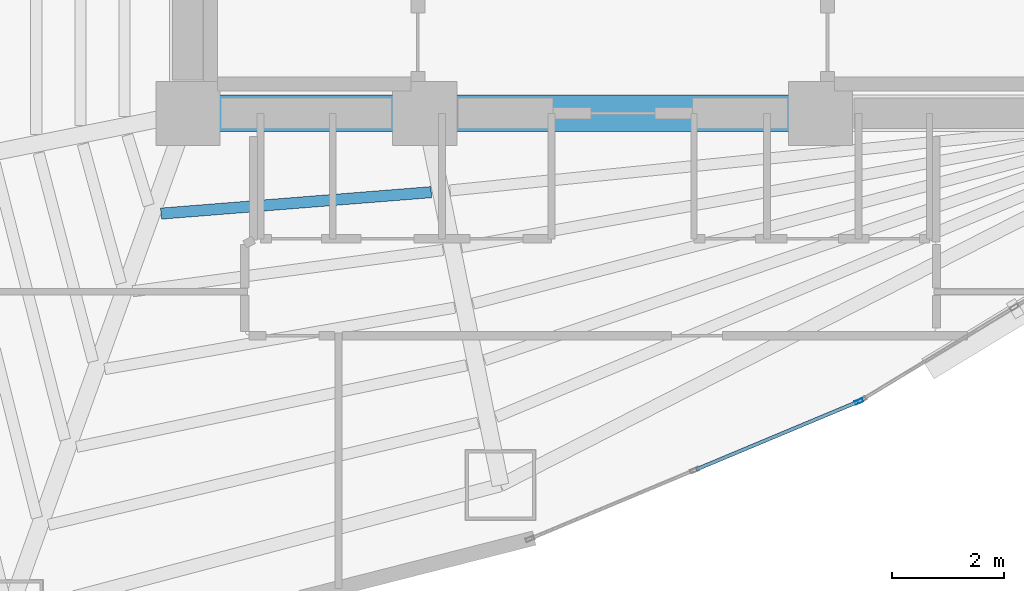
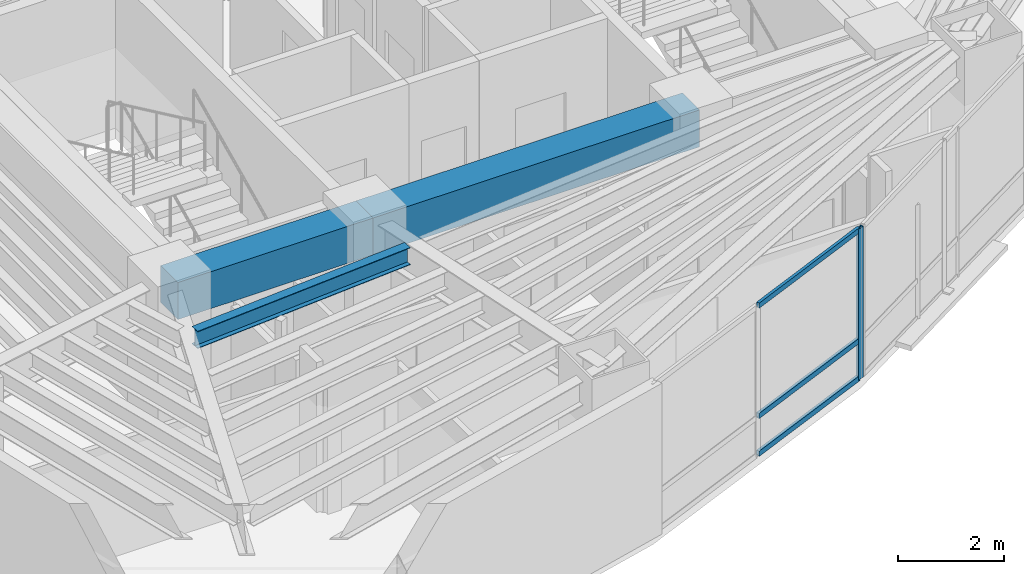
# One storey, part 4 of 18: 4 members, 3 beams, 1 element without a shape of its own.
"""IFC4 building model written with IfcOpenShell, lengths in metres."""

from ifc_helpers import new_model, si_unit, direction, frame, origin, origin_2d, place, context, subcontext, project, spatial, rectangle, hollow_rectangle, i_section, extrude, material, layer, layer_set, material_profile, profile_set, type_object, element, aggregate, save


model = new_model("IFC4")

# Units and contexts
model_context = context("Model", 3, precision=1e-05, world=origin(), true_north=direction((0.0, 1.0)))
body_context = subcontext(model_context, "Body", "Model", "MODEL_VIEW")
ifc_project = project(units=[si_unit("LENGTHUNIT", "METRE"), si_unit("AREAUNIT", "SQUARE_METRE"), si_unit("VOLUMEUNIT", "CUBIC_METRE"), si_unit("PLANEANGLEUNIT", "RADIAN"), si_unit("MASSUNIT", "GRAM", prefix="KILO")], contexts=[model_context])

# Site, building, storey
site_placement = place(None, origin())
site = spatial("IfcSite", under=ifc_project, at=site_placement, CompositionType="ELEMENT")
building_placement = place(site_placement, origin())
building = spatial("IfcBuilding", under=site, at=building_placement, Name="Menara Vayukalpa", CompositionType="ELEMENT")
storey_placement = place(building_placement, frame((0.0, 0.0, 130.02001953125)))
storey = spatial("IfcBuildingStorey", under=building, at=storey_placement, Name="L32", CompositionType="ELEMENT", Elevation=130.02001953125)

# Beams
ifc_material_1 = material(Name="Concrete C60/75", Category="concrete")
ifc_material_profile_1 = material_profile(ifc_material_1, rectangle(XDim=0.64990234375, YDim=0.85009765625, at=origin_2d()), Name="RC 650x850")
ifc_profile_set_1 = profile_set([ifc_material_profile_1], Name="Concrete C60/75")
beam_type_1 = type_object("IfcBeamType", Name="BM-CB1", PredefinedType="BEAM", material=ifc_profile_set_1)
beam_1_placement = place(storey_placement, frame((17.800048828125, 17.199951171875, 3.044921875), z_axis=(1.0, 0.0, 0.0), x_axis=(0.0, 1.0, 0.0)))
element("IfcBeam", 1, at=beam_1_placement, inside=storey, type_object=beam_type_1, Name="L32 Core Tie Beam CBR1", PredefinedType="BEAM", context=body_context, shape_type="SweptSolid", body=[
    extrude(rectangle(XDim=0.64990234375, YDim=0.85009765625, at=origin_2d()), origin(), (0.0, 0.0, 1.0), 4.25),
])
beam_2_placement = place(storey_placement, frame((22.050048828125, 17.199951171875, 3.044921875), z_axis=(1.0, 0.0, 0.0), x_axis=(0.0, 1.0, 0.0)))
element("IfcBeam", 2, at=beam_2_placement, inside=storey, type_object=beam_type_1, Name="L32 Core Tie Beam CBR2", PredefinedType="BEAM", context=body_context, shape_type="SweptSolid", body=[
    extrude(rectangle(XDim=0.64990234375, YDim=0.85009765625, at=origin_2d()), origin(), (0.0, 0.0, 1.0), 7.099853515625),
])
ifc_material_2 = material(Name="Steel S355", Category="steel")
ifc_material_profile_2 = material_profile(ifc_material_2, i_section(OverallWidth=0.199951171875, OverallDepth=0.39990234375, WebThickness=0.008056640625, FlangeThickness=0.012939453125, at=origin_2d()), Name="WF 400x200x8x13")
ifc_profile_set_2 = profile_set([ifc_material_profile_2], Name="Steel S355")
beam_type_2 = type_object("IfcBeamType", Name="BM-SJ2", PredefinedType="JOIST", material=ifc_profile_set_2)
beam_3_placement = place(storey_placement, frame((17.318603515625, 15.40087890625, 3.27001953125), z_axis=(0.996868534468, 0.079076703187, 0.0), x_axis=(-0.079076703187, 0.996868534468, 0.0)))
element("IfcBeam", 3, at=beam_3_placement, inside=storey, type_object=beam_type_2, Name="L32 Secondary Floor Joist SJ07-1", PredefinedType="JOIST", context=body_context, shape_type="SweptSolid", body=[
    extrude(i_section(OverallWidth=0.199951171875, OverallDepth=0.39990234375, WebThickness=0.008056640625, FlangeThickness=0.012939453125, at=origin_2d()), origin(), (0.0, 0.0, 1.0), 4.862548828125),
])

# Curtain wall, members
ifc_material_3 = material(Name="Anodised Terracotta Aluminium Alloy 6063-T6", Category="masonry")
ifc_layer = layer(ifc_material_3, 0.14990234375)
ifc_layer_set = layer_set([ifc_layer], Name="Anodised Terracotta Aluminium Alloy 6063-T6")
curtain_wall_type = type_object("IfcCurtainWallType", Name="CW-CW3", PredefinedType="USERDEFINED", material=ifc_layer_set)
curtain_wall_placement = place(storey_placement, origin())
curtain_wall = element("IfcCurtainWall", 4, at=curtain_wall_placement, inside=storey, type_object=curtain_wall_type, Name="L32 Mid Rise Terracotta Ribbon Curtain Wall CW3 16", ObjectType="UNITISED", PredefinedType="USERDEFINED")
ifc_material_4 = material(Name="Anodised Terracotta Aluminium Alloy 6063-T6", Category="masonry")
ifc_material_profile_3 = material_profile(ifc_material_4, hollow_rectangle(XDim=0.06494140625, YDim=0.14990234375, WallThickness=0.00341796875, at=origin_2d()), Name="ALU 65x150x3.5")
ifc_profile_set_3 = profile_set([ifc_material_profile_3], Name="Anodised Terracotta Aluminium Alloy 6063-T6")
member_type_1 = type_object("IfcMemberType", Name="CWM-CW3", PredefinedType="MULLION", material=ifc_profile_set_3)
member_1_placement = place(storey_placement, frame((29.8359375, 12.0322265625, 0.0), z_axis=(0.0, 0.0, 1.0), x_axis=(-0.38589358437, 0.922543300632, 0.0)))
member_1 = element("IfcMember", 5, at=member_1_placement, type_object=member_type_1, Name="CW3 mullion 3", PredefinedType="MULLION", context=body_context, shape_type="SweptSolid", body=[
    extrude(hollow_rectangle(XDim=0.06494140625, YDim=0.14990234375, WallThickness=0.00341796875, at=origin_2d()), origin(), (0.0, 0.0, 1.0), 3.469970703125),
])
ifc_material_5 = material(Name="Anodised Terracotta Aluminium Alloy 6063-T6", Category="masonry")
ifc_material_profile_4 = material_profile(ifc_material_5, hollow_rectangle(XDim=0.06494140625, YDim=0.1201171875, WallThickness=0.00341796875, at=origin_2d()), Name="ALU 65x120x3.5")
ifc_profile_set_4 = profile_set([ifc_material_profile_4], Name="Anodised Terracotta Aluminium Alloy 6063-T6")
member_type_2 = type_object("IfcMemberType", Name="CWT-CW3", PredefinedType="USERDEFINED", material=ifc_profile_set_4)
member_2_placement = place(storey_placement, frame((26.916748046875, 10.81103515625, 0.032470703125), z_axis=(0.922517812792, 0.385954511673, 0.0), x_axis=(-0.385954511673, 0.922517812792, 0.0)))
member_2 = element("IfcMember", 6, at=member_2_placement, type_object=member_type_2, Name="CW3 transom 2.1", ObjectType="TRANSOM", PredefinedType="USERDEFINED", context=body_context, shape_type="SweptSolid", body=[
    extrude(hollow_rectangle(XDim=0.06494140625, YDim=0.1201171875, WallThickness=0.00341796875, at=origin_2d()), origin(), (0.0, 0.0, 1.0), 3.1318359375),
])
member_3_placement = place(storey_placement, frame((26.916748046875, 10.81103515625, 0.89990234375), z_axis=(0.922517812792, 0.385954511673, 0.0), x_axis=(-0.385954511673, 0.922517812792, 0.0)))
member_3 = element("IfcMember", 7, at=member_3_placement, type_object=member_type_2, Name="CW3 transom 2.2", ObjectType="TRANSOM", PredefinedType="USERDEFINED", context=body_context, shape_type="SweptSolid", body=[
    extrude(hollow_rectangle(XDim=0.06494140625, YDim=0.1201171875, WallThickness=0.00341796875, at=origin_2d()), origin(), (0.0, 0.0, 1.0), 3.1318359375),
])
member_4_placement = place(storey_placement, frame((26.916748046875, 10.81103515625, 3.4375), z_axis=(0.922517812792, 0.385954511673, 0.0), x_axis=(-0.385954511673, 0.922517812792, 0.0)))
member_4 = element("IfcMember", 8, at=member_4_placement, type_object=member_type_2, Name="CW3 transom 2.3", ObjectType="TRANSOM", PredefinedType="USERDEFINED", context=body_context, shape_type="SweptSolid", body=[
    extrude(hollow_rectangle(XDim=0.06494140625, YDim=0.1201171875, WallThickness=0.00341796875, at=origin_2d()), origin(), (0.0, 0.0, 1.0), 3.1318359375),
])
aggregate(curtain_wall, [member_1, member_2, member_3, member_4])

save(model, "model.ifc")
